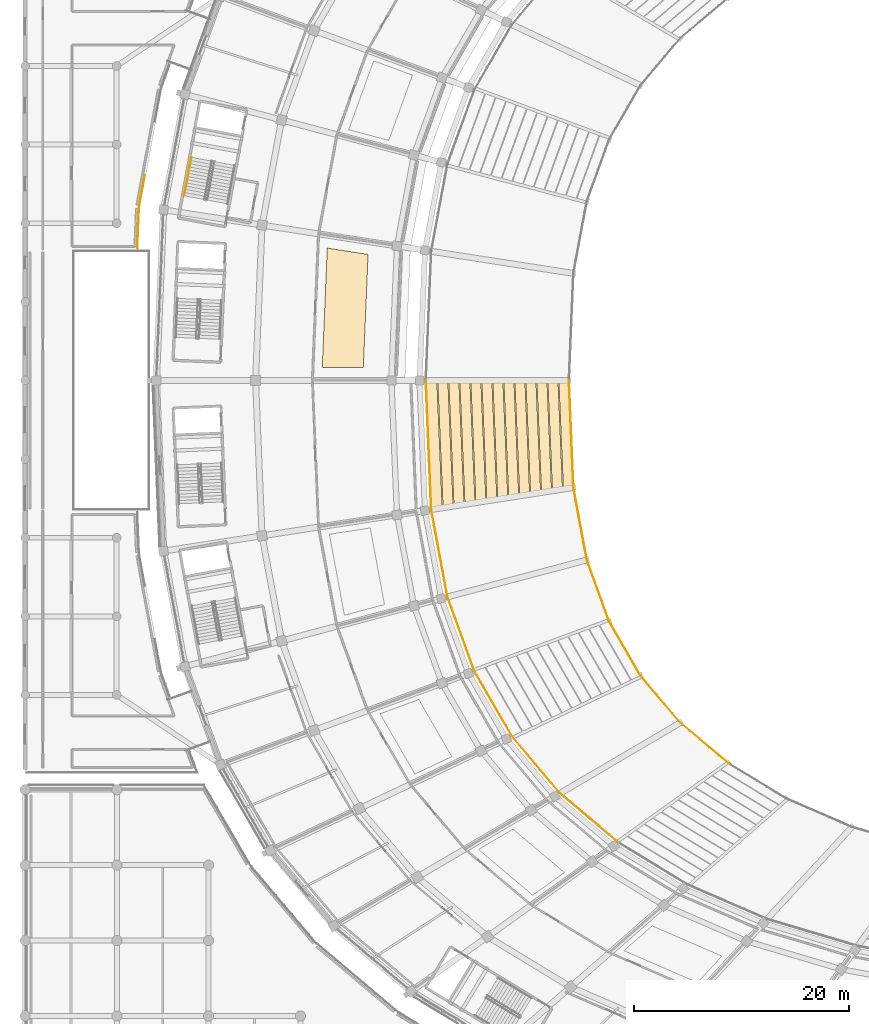
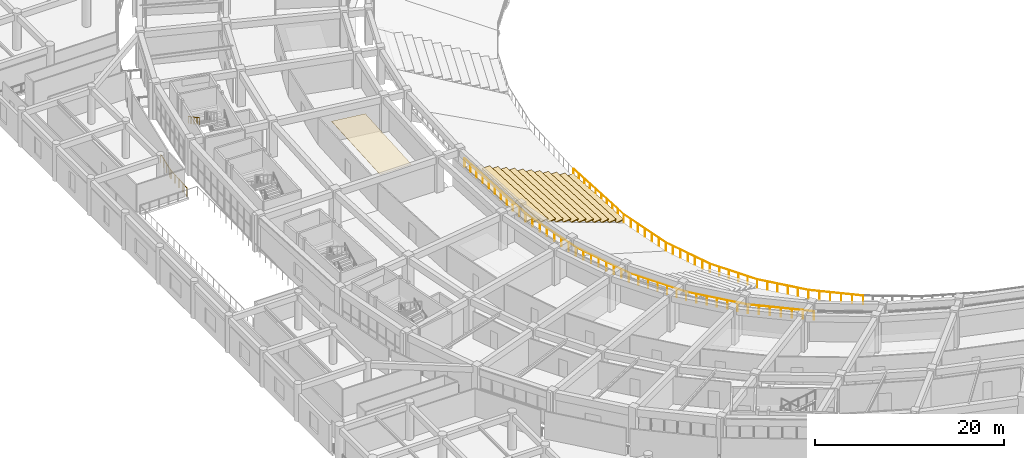
# One storey, part 130 of 152: 14 coverings, 4 railings.
"""IFC4 building model written with IfcOpenShell, lengths in metres."""

from ifc_helpers import new_model, si_unit, direction, frame, origin, origin_2d, place, context, subcontext, project, spatial, polyline, circle, outline, extrude, material, layer, layer_set, type_object, element, save


model = new_model("IFC4")

# Units and contexts
model_context = context("Model", 3, precision=1e-05, world=origin(), true_north=direction((0.0, 1.0)))
body_context = subcontext(model_context, "Body", "Model", "MODEL_VIEW")
ifc_project = project(units=[si_unit("LENGTHUNIT", "METRE"), si_unit("AREAUNIT", "SQUARE_METRE"), si_unit("VOLUMEUNIT", "CUBIC_METRE"), si_unit("PLANEANGLEUNIT", "RADIAN"), si_unit("MASSUNIT", "GRAM", prefix="KILO")], contexts=[model_context])

# Site, building, storey
site_placement = place(None, origin())
site = spatial("IfcSite", under=ifc_project, at=site_placement, CompositionType="ELEMENT")
building_placement = place(site_placement, origin())
building = spatial("IfcBuilding", under=site, at=building_placement, Name="Mphavela Belvedere Stadium", CompositionType="ELEMENT")
storey_placement = place(building_placement, frame((0.0, 0.0, 5.39990234375)))
storey = spatial("IfcBuildingStorey", under=building, at=storey_placement, Name="L01", CompositionType="ELEMENT", Elevation=5.39990234375)

# Coverings
ifc_material_1 = material(Name="Perforated acoustic mineral ceiling tile")
ifc_layer_1 = layer(ifc_material_1, 0.0400390625)
ifc_layer_set_1 = layer_set([ifc_layer_1], Name="Perforated acoustic mineral ceiling tile")
covering_type_1 = type_object("IfcCoveringType", Name="COV-CEILING-ACOUSTIC", PredefinedType="CEILING", material=ifc_layer_set_1)
covering_1_placement = place(storey_placement, frame((0.0, 0.0, 3.5)))
element("IfcCovering", 1, at=covering_1_placement, inside=storey, type_object=covering_type_1, Name="Concourse acoustic ceiling L01-24", PredefinedType="CEILING", context=body_context, shape_type="SweptSolid", body=[
    extrude(outline(polyline([(31.845703125, 98.70361328125), (31.40478515625, 88.1865234375), (27.5869140625, 88.1865234375), (28.052490234375, 99.291748046875), (31.845703125, 98.70361328125)])), origin(), (0.0, 0.0, 1.0), 0.0400390625),
])
ifc_material_2 = material(Name="Precast seating row terrazzo finish", Category="concrete")
ifc_layer_2 = layer(ifc_material_2, 0.1201171875)
ifc_layer_set_2 = layer_set([ifc_layer_2], Name="Precast seating row terrazzo finish")
covering_type_2 = type_object("IfcCoveringType", Name="COV-SEAT-ROW-L", PredefinedType="FLOORING", material=ifc_layer_set_2)
covering_2_placement = place(storey_placement, frame((0.0, 0.0, -3.75830078125)))
element("IfcCovering", 2, at=covering_2_placement, inside=storey, type_object=covering_type_2, Name="Lower stand seating row bench B25-R01", PredefinedType="FLOORING", context=body_context, shape_type="SweptSolid", body=[
    extrude(outline(polyline([(50.4951171875, 87.0), (50.911865234375, 77.0595703125), (49.9775390625, 76.91455078125), (49.554443359375, 87.0), (50.4951171875, 87.0)])), origin(), (0.0, 0.0, 1.0), 0.119873046875),
])
covering_3_placement = place(storey_placement, frame((0.0, 0.0, -3.296875)))
element("IfcCovering", 3, at=covering_3_placement, inside=storey, type_object=covering_type_2, Name="Lower stand seating row bench B25-R02", PredefinedType="FLOORING", context=body_context, shape_type="SweptSolid", body=[
    extrude(outline(polyline([(49.472900390625, 87.0), (49.896240234375, 76.902099609375), (48.9619140625, 76.757080078125), (48.5322265625, 87.0), (49.472900390625, 87.0)])), origin(), (0.0, 0.0, 1.0), 0.1201171875),
])
covering_4_placement = place(storey_placement, frame((0.0, 0.0, -2.835205078125)))
element("IfcCovering", 4, at=covering_4_placement, inside=storey, type_object=covering_type_2, Name="Lower stand seating row bench B25-R03", PredefinedType="FLOORING", context=body_context, shape_type="SweptSolid", body=[
    extrude(outline(polyline([(48.450439453125, 87.0), (48.880615234375, 76.744384765625), (47.9462890625, 76.599609375), (47.510009765625, 87.0), (48.450439453125, 87.0)])), origin(), (0.0, 0.0, 1.0), 0.119873046875),
])
covering_5_placement = place(storey_placement, frame((0.0, 0.0, -2.373779296875)))
element("IfcCovering", 5, at=covering_5_placement, inside=storey, type_object=covering_type_2, Name="Lower stand seating row bench B25-R04", PredefinedType="FLOORING", context=body_context, shape_type="SweptSolid", body=[
    extrude(outline(polyline([(47.42822265625, 87.0), (47.864990234375, 76.5869140625), (46.9306640625, 76.44189453125), (46.48779296875, 87.0), (47.42822265625, 87.0)])), origin(), (0.0, 0.0, 1.0), 0.1201171875),
])
covering_6_placement = place(storey_placement, frame((0.0, 0.0, -1.912109375)))
element("IfcCovering", 6, at=covering_6_placement, inside=storey, type_object=covering_type_2, Name="Lower stand seating row bench B25-R05", PredefinedType="FLOORING", context=body_context, shape_type="SweptSolid", body=[
    extrude(outline(polyline([(46.406005859375, 87.0), (46.849365234375, 76.429443359375), (45.9150390625, 76.284423828125), (45.465576171875, 87.0), (46.406005859375, 87.0)])), origin(), (0.0, 0.0, 1.0), 0.119873046875),
])
covering_7_placement = place(storey_placement, frame((0.0, 0.0, -1.45068359375)))
element("IfcCovering", 7, at=covering_7_placement, inside=storey, type_object=covering_type_2, Name="Lower stand seating row bench B25-R06", PredefinedType="FLOORING", context=body_context, shape_type="SweptSolid", body=[
    extrude(outline(polyline([(45.3837890625, 87.0), (45.833740234375, 76.271728515625), (44.8994140625, 76.126953125), (44.443359375, 87.0), (45.3837890625, 87.0)])), origin(), (0.0, 0.0, 1.0), 0.119873046875),
])
covering_8_placement = place(storey_placement, frame((0.0, 0.0, -0.989013671875)))
element("IfcCovering", 8, at=covering_8_placement, inside=storey, type_object=covering_type_2, Name="Lower stand seating row bench B25-R07", PredefinedType="FLOORING", context=body_context, shape_type="SweptSolid", body=[
    extrude(outline(polyline([(44.361572265625, 87.0), (44.818115234375, 76.1142578125), (43.8837890625, 75.969482421875), (43.421142578125, 87.0), (44.361572265625, 87.0)])), origin(), (0.0, 0.0, 1.0), 0.119873046875),
])
covering_9_placement = place(storey_placement, frame((0.0, 0.0, -0.527587890625)))
element("IfcCovering", 9, at=covering_9_placement, inside=storey, type_object=covering_type_2, Name="Lower stand seating row bench B25-R08", PredefinedType="FLOORING", context=body_context, shape_type="SweptSolid", body=[
    extrude(outline(polyline([(43.33935546875, 87.0), (43.802490234375, 75.956787109375), (42.8681640625, 75.81201171875), (42.39892578125, 87.0), (43.33935546875, 87.0)])), origin(), (0.0, 0.0, 1.0), 0.119873046875),
])
covering_10_placement = place(storey_placement, frame((0.0, 0.0, -0.066162109375)))
element("IfcCovering", 10, at=covering_10_placement, inside=storey, type_object=covering_type_2, Name="Lower stand seating row bench B25-R09", PredefinedType="FLOORING", context=body_context, shape_type="SweptSolid", body=[
    extrude(outline(polyline([(42.317138671875, 87.0), (42.786865234375, 75.79931640625), (41.8525390625, 75.654296875), (41.376708984375, 87.0), (42.317138671875, 87.0)])), origin(), (0.0, 0.0, 1.0), 0.1201171875),
])
covering_11_placement = place(storey_placement, frame((0.0, 0.0, 0.3955078125)))
element("IfcCovering", 11, at=covering_11_placement, inside=storey, type_object=covering_type_2, Name="Lower stand seating row bench B25-R10", PredefinedType="FLOORING", context=body_context, shape_type="SweptSolid", body=[
    extrude(outline(polyline([(41.294921875, 87.0), (41.771240234375, 75.6416015625), (40.8369140625, 75.496826171875), (40.3544921875, 87.0), (41.294921875, 87.0)])), origin(), (0.0, 0.0, 1.0), 0.119873046875),
])
covering_12_placement = place(storey_placement, frame((0.0, 0.0, 0.85693359375)))
element("IfcCovering", 12, at=covering_12_placement, inside=storey, type_object=covering_type_2, Name="Lower stand seating row bench B25-R11", PredefinedType="FLOORING", context=body_context, shape_type="SweptSolid", body=[
    extrude(outline(polyline([(40.272705078125, 87.0), (40.755615234375, 75.484130859375), (39.8212890625, 75.33935546875), (39.332275390625, 87.0), (40.272705078125, 87.0)])), origin(), (0.0, 0.0, 1.0), 0.1201171875),
])
covering_13_placement = place(storey_placement, frame((0.0, 0.0, 1.318603515625)))
element("IfcCovering", 13, at=covering_13_placement, inside=storey, type_object=covering_type_2, Name="Lower stand seating row bench B25-R12", PredefinedType="FLOORING", context=body_context, shape_type="SweptSolid", body=[
    extrude(outline(polyline([(39.25048828125, 87.0), (39.739990234375, 75.32666015625), (38.8056640625, 75.181640625), (38.31005859375, 87.0), (39.25048828125, 87.0)])), origin(), (0.0, 0.0, 1.0), 0.119873046875),
])
covering_14_placement = place(storey_placement, frame((0.0, 0.0, 1.780029296875)))
element("IfcCovering", 14, at=covering_14_placement, inside=storey, type_object=covering_type_2, Name="Lower stand seating row bench B25-R13", PredefinedType="FLOORING", context=body_context, shape_type="SweptSolid", body=[
    extrude(outline(polyline([(38.228271484375, 87.0), (38.724365234375, 75.169189453125), (37.7900390625, 75.024169921875), (37.287841796875, 87.0), (38.228271484375, 87.0)])), origin(), (0.0, 0.0, 1.0), 0.1201171875),
])

# Railings
ifc_material_3 = material(Name="Bronze and laminated glass stadium balustrade", Category="glass")
railing_type_1 = type_object("IfcRailingType", Name="RAL-BALUSTRADE-1120", PredefinedType="BALUSTRADE", material=ifc_material_3)
railing_1_placement = place(storey_placement, frame((50.4951171875, 87.0, -4.099853515625)))
element("IfcRailing", 15, at=railing_1_placement, inside=storey, type_object=railing_type_1, Name="Bowl safety balustrade t1_front S5", PredefinedType="BALUSTRADE", context=body_context, shape_type="SweptSolid", body=[
    extrude(circle(Radius=0.02392578125, at=origin_2d()), frame((0.0, 0.0, 1.09619140625), z_axis=(0.041887754326, -0.99912232286, 0.0), x_axis=(0.99912232286, 0.041887754326, 0.0)), (0.0, 0.0, 1.0), 9.94921875),
    extrude(circle(Radius=0.02392578125, at=origin_2d()), frame((0.416748046875, -9.9404296875, 1.09619140625), z_axis=(0.182635082941, -0.983180769991, 0.0), x_axis=(0.983180769991, 0.182635082941, 0.0)), (0.0, 0.0, 1.0), 6.8388671875),
    extrude(circle(Radius=0.02392578125, at=origin_2d()), frame((1.665771484375, -16.664306640625, 1.09619140625), z_axis=(0.341053704054, -0.940043813315, 0.0), x_axis=(0.940043813315, 0.341053704054, 0.0)), (0.0, 0.0, 1.0), 6.086181640625),
    extrude(circle(Radius=0.02392578125, at=origin_2d()), frame((3.741455078125, -22.385498046875, 1.09619140625), z_axis=(0.500538549493, -0.86571424874, 0.0), x_axis=(0.86571424874, 0.500538549493, 0.0)), (0.0, 0.0, 1.0), 5.7822265625),
    extrude(circle(Radius=0.02392578125, at=origin_2d()), frame((6.6357421875, -27.391357421875, 1.09619140625), z_axis=(0.645177508065, -0.764032710744, 0.0), x_axis=(0.764032710744, 0.645177508065, 0.0)), (0.0, 0.0, 1.0), 5.7412109375),
    extrude(circle(Radius=0.02392578125, at=origin_2d()), frame((10.33984375, -31.77783203125, 1.09619140625), z_axis=(0.764252578724, -0.644917045762, 0.0), x_axis=(0.644917045762, 0.764252578724, 0.0)), (0.0, 0.0, 1.0), 5.89599609375),
    extrude(circle(Radius=0.02099609375, at=origin_2d()), origin(), (0.0, 0.0, 1.0), 1.072021484375),
    extrude(circle(Radius=0.02099609375, at=origin_2d()), frame((0.04638671875, -1.1044921875, 0.0)), (0.0, 0.0, 1.0), 1.072021484375),
    extrude(circle(Radius=0.02099609375, at=origin_2d()), frame((0.092529296875, -2.208984375, 0.0)), (0.0, 0.0, 1.0), 1.072021484375),
    extrude(circle(Radius=0.02099609375, at=origin_2d()), frame((0.138916015625, -3.3134765625, 0.0)), (0.0, 0.0, 1.0), 1.072021484375),
    extrude(circle(Radius=0.02099609375, at=origin_2d()), frame((0.185302734375, -4.41796875, 0.0)), (0.0, 0.0, 1.0), 1.072021484375),
    extrude(circle(Radius=0.02099609375, at=origin_2d()), frame((0.2314453125, -5.5224609375, 0.0)), (0.0, 0.0, 1.0), 1.072021484375),
    extrude(circle(Radius=0.02099609375, at=origin_2d()), frame((0.27783203125, -6.626953125, 0.0)), (0.0, 0.0, 1.0), 1.072021484375),
    extrude(circle(Radius=0.02099609375, at=origin_2d()), frame((0.32421875, -7.7314453125, 0.0)), (0.0, 0.0, 1.0), 1.072021484375),
    extrude(circle(Radius=0.02099609375, at=origin_2d()), frame((0.370361328125, -8.8359375, 0.0)), (0.0, 0.0, 1.0), 1.072021484375),
    extrude(circle(Radius=0.02099609375, at=origin_2d()), frame((0.416748046875, -9.9404296875, 0.0)), (0.0, 0.0, 1.0), 1.072021484375),
    extrude(circle(Radius=0.02099609375, at=origin_2d()), frame((0.625, -11.06103515625, 0.0)), (0.0, 0.0, 1.0), 1.072021484375),
    extrude(circle(Radius=0.02099609375, at=origin_2d()), frame((0.8330078125, -12.181640625, 0.0)), (0.0, 0.0, 1.0), 1.072021484375),
    extrude(circle(Radius=0.02099609375, at=origin_2d()), frame((1.041259765625, -13.30224609375, 0.0)), (0.0, 0.0, 1.0), 1.072021484375),
    extrude(circle(Radius=0.02099609375, at=origin_2d()), frame((1.24951171875, -14.423095703125, 0.0)), (0.0, 0.0, 1.0), 1.072021484375),
    extrude(circle(Radius=0.02099609375, at=origin_2d()), frame((1.45751953125, -15.543701171875, 0.0)), (0.0, 0.0, 1.0), 1.072021484375),
    extrude(circle(Radius=0.02099609375, at=origin_2d()), frame((1.665771484375, -16.664306640625, 0.0)), (0.0, 0.0, 1.0), 1.072021484375),
    extrude(circle(Radius=0.02099609375, at=origin_2d()), frame((2.01171875, -17.617919921875, 0.0)), (0.0, 0.0, 1.0), 1.072021484375),
    extrude(circle(Radius=0.02099609375, at=origin_2d()), frame((2.357666015625, -18.5712890625, 0.0)), (0.0, 0.0, 1.0), 1.072021484375),
    extrude(circle(Radius=0.02099609375, at=origin_2d()), frame((2.70361328125, -19.52490234375, 0.0)), (0.0, 0.0, 1.0), 1.072021484375),
    extrude(circle(Radius=0.02099609375, at=origin_2d()), frame((3.049560546875, -20.478515625, 0.0)), (0.0, 0.0, 1.0), 1.072021484375),
    extrude(circle(Radius=0.02099609375, at=origin_2d()), frame((3.3955078125, -21.431884765625, 0.0)), (0.0, 0.0, 1.0), 1.072021484375),
    extrude(circle(Radius=0.02099609375, at=origin_2d()), frame((3.741455078125, -22.385498046875, 0.0)), (0.0, 0.0, 1.0), 1.072021484375),
    extrude(circle(Radius=0.02099609375, at=origin_2d()), frame((4.3203125, -23.38671875, 0.0)), (0.0, 0.0, 1.0), 1.072021484375),
    extrude(circle(Radius=0.02099609375, at=origin_2d()), frame((4.899169921875, -24.387939453125, 0.0)), (0.0, 0.0, 1.0), 1.072021484375),
    extrude(circle(Radius=0.02099609375, at=origin_2d()), frame((5.47802734375, -25.388916015625, 0.0)), (0.0, 0.0, 1.0), 1.072021484375),
    extrude(circle(Radius=0.02099609375, at=origin_2d()), frame((6.056884765625, -26.39013671875, 0.0)), (0.0, 0.0, 1.0), 1.072021484375),
    extrude(circle(Radius=0.02099609375, at=origin_2d()), frame((6.6357421875, -27.391357421875, 0.0)), (0.0, 0.0, 1.0), 1.072021484375),
    extrude(circle(Radius=0.02099609375, at=origin_2d()), frame((7.37646484375, -28.2685546875, 0.0)), (0.0, 0.0, 1.0), 1.072021484375),
    extrude(circle(Radius=0.02099609375, at=origin_2d()), frame((8.117431640625, -29.14599609375, 0.0)), (0.0, 0.0, 1.0), 1.072021484375),
    extrude(circle(Radius=0.02099609375, at=origin_2d()), frame((8.858154296875, -30.023193359375, 0.0)), (0.0, 0.0, 1.0), 1.072021484375),
    extrude(circle(Radius=0.02099609375, at=origin_2d()), frame((9.59912109375, -30.900634765625, 0.0)), (0.0, 0.0, 1.0), 1.072021484375),
    extrude(circle(Radius=0.02099609375, at=origin_2d()), frame((10.33984375, -31.77783203125, 0.0)), (0.0, 0.0, 1.0), 1.072021484375),
    extrude(circle(Radius=0.02099609375, at=origin_2d()), frame((11.240966796875, -32.538330078125, 0.0)), (0.0, 0.0, 1.0), 1.072021484375),
    extrude(circle(Radius=0.02099609375, at=origin_2d()), frame((12.142333984375, -33.298828125, 0.0)), (0.0, 0.0, 1.0), 1.072021484375),
    extrude(circle(Radius=0.02099609375, at=origin_2d()), frame((13.04345703125, -34.059326171875, 0.0)), (0.0, 0.0, 1.0), 1.072021484375),
    extrude(circle(Radius=0.02099609375, at=origin_2d()), frame((13.94482421875, -34.81982421875, 0.0)), (0.0, 0.0, 1.0), 1.072021484375),
    extrude(circle(Radius=0.02099609375, at=origin_2d()), frame((14.845947265625, -35.580322265625, 0.0)), (0.0, 0.0, 1.0), 1.072021484375),
])
railing_2_placement = place(storey_placement, frame((37.2060546875, 87.0, 1.900146484375)))
element("IfcRailing", 16, at=railing_2_placement, inside=storey, type_object=railing_type_1, Name="Bowl safety balustrade t1_rear S5", PredefinedType="BALUSTRADE", context=body_context, shape_type="SweptSolid", body=[
    extrude(circle(Radius=0.02392578125, at=origin_2d()), frame((0.0, 0.0, 1.09619140625), z_axis=(0.041894596613, -0.999122035977, 0.0), x_axis=(0.999122035977, 0.041894596613, 0.0)), (0.0, 0.0, 1.0), 11.998779296875),
    extrude(circle(Radius=0.02392578125, at=origin_2d()), frame((0.502685546875, -11.98828125, 1.09619140625), z_axis=(0.182635114109, -0.983180764201, 0.0), x_axis=(0.983180764201, 0.182635114109, 0.0)), (0.0, 0.0, 1.0), 8.247802734375),
    extrude(circle(Radius=0.02392578125, at=origin_2d()), frame((2.009033203125, -20.097412109375, 1.09619140625), z_axis=(0.341035238326, -0.940050512589, 0.0), x_axis=(0.940050512589, 0.341035238326, 0.0)), (0.0, 0.0, 1.0), 7.33984375),
    extrude(circle(Radius=0.02392578125, at=origin_2d()), frame((4.51220703125, -26.997314453125, 1.09619140625), z_axis=(0.500558706361, -0.865702594132, 0.0), x_axis=(0.865702594132, 0.500558706361, 0.0)), (0.0, 0.0, 1.0), 6.9736328125),
    extrude(circle(Radius=0.02392578125, at=origin_2d()), frame((8.0029296875, -33.034423828125, 1.09619140625), z_axis=(0.645154745887, -0.764051931389, 0.0), x_axis=(0.764051931389, 0.645154745887, 0.0)), (0.0, 0.0, 1.0), 6.924072265625),
    extrude(circle(Radius=0.02392578125, at=origin_2d()), frame((12.469970703125, -38.32470703125, 1.09619140625), z_axis=(0.764272445786, -0.644893501761, 0.0), x_axis=(0.644893501761, 0.764272445786, 0.0)), (0.0, 0.0, 1.0), 7.11083984375),
    extrude(circle(Radius=0.02099609375, at=origin_2d()), origin(), (0.0, 0.0, 1.0), 1.072021484375),
    extrude(circle(Radius=0.02099609375, at=origin_2d()), frame((0.05029296875, -1.19873046875, 0.0)), (0.0, 0.0, 1.0), 1.072021484375),
    extrude(circle(Radius=0.02099609375, at=origin_2d()), frame((0.1005859375, -2.397705078125, 0.0)), (0.0, 0.0, 1.0), 1.072021484375),
    extrude(circle(Radius=0.02099609375, at=origin_2d()), frame((0.15087890625, -3.596435546875, 0.0)), (0.0, 0.0, 1.0), 1.072021484375),
    extrude(circle(Radius=0.02099609375, at=origin_2d()), frame((0.201171875, -4.79541015625, 0.0)), (0.0, 0.0, 1.0), 1.072021484375),
    extrude(circle(Radius=0.02099609375, at=origin_2d()), frame((0.25146484375, -5.994140625, 0.0)), (0.0, 0.0, 1.0), 1.072021484375),
    extrude(circle(Radius=0.02099609375, at=origin_2d()), frame((0.301513671875, -7.19287109375, 0.0)), (0.0, 0.0, 1.0), 1.072021484375),
    extrude(circle(Radius=0.02099609375, at=origin_2d()), frame((0.351806640625, -8.391845703125, 0.0)), (0.0, 0.0, 1.0), 1.072021484375),
    extrude(circle(Radius=0.02099609375, at=origin_2d()), frame((0.402099609375, -9.590576171875, 0.0)), (0.0, 0.0, 1.0), 1.072021484375),
    extrude(circle(Radius=0.02099609375, at=origin_2d()), frame((0.452392578125, -10.78955078125, 0.0)), (0.0, 0.0, 1.0), 1.072021484375),
    extrude(circle(Radius=0.02099609375, at=origin_2d()), frame((0.502685546875, -11.98828125, 0.0)), (0.0, 0.0, 1.0), 1.072021484375),
    extrude(circle(Radius=0.02099609375, at=origin_2d()), frame((0.7177734375, -13.146728515625, 0.0)), (0.0, 0.0, 1.0), 1.072021484375),
    extrude(circle(Radius=0.02099609375, at=origin_2d()), frame((0.93310546875, -14.30517578125, 0.0)), (0.0, 0.0, 1.0), 1.072021484375),
    extrude(circle(Radius=0.02099609375, at=origin_2d()), frame((1.148193359375, -15.463623046875, 0.0)), (0.0, 0.0, 1.0), 1.072021484375),
    extrude(circle(Radius=0.02099609375, at=origin_2d()), frame((1.363525390625, -16.6220703125, 0.0)), (0.0, 0.0, 1.0), 1.072021484375),
    extrude(circle(Radius=0.02099609375, at=origin_2d()), frame((1.57861328125, -17.780517578125, 0.0)), (0.0, 0.0, 1.0), 1.072021484375),
    extrude(circle(Radius=0.02099609375, at=origin_2d()), frame((1.7939453125, -18.93896484375, 0.0)), (0.0, 0.0, 1.0), 1.072021484375),
    extrude(circle(Radius=0.02099609375, at=origin_2d()), frame((2.009033203125, -20.097412109375, 0.0)), (0.0, 0.0, 1.0), 1.072021484375),
    extrude(circle(Radius=0.02099609375, at=origin_2d()), frame((2.36669921875, -21.0830078125, 0.0)), (0.0, 0.0, 1.0), 1.072021484375),
    extrude(circle(Radius=0.02099609375, at=origin_2d()), frame((2.72412109375, -22.06884765625, 0.0)), (0.0, 0.0, 1.0), 1.072021484375),
    extrude(circle(Radius=0.02099609375, at=origin_2d()), frame((3.081787109375, -23.054443359375, 0.0)), (0.0, 0.0, 1.0), 1.072021484375),
    extrude(circle(Radius=0.02099609375, at=origin_2d()), frame((3.439453125, -24.040283203125, 0.0)), (0.0, 0.0, 1.0), 1.072021484375),
    extrude(circle(Radius=0.02099609375, at=origin_2d()), frame((3.797119140625, -25.02587890625, 0.0)), (0.0, 0.0, 1.0), 1.072021484375),
    extrude(circle(Radius=0.02099609375, at=origin_2d()), frame((4.154541015625, -26.01171875, 0.0)), (0.0, 0.0, 1.0), 1.072021484375),
    extrude(circle(Radius=0.02099609375, at=origin_2d()), frame((4.51220703125, -26.997314453125, 0.0)), (0.0, 0.0, 1.0), 1.072021484375),
    extrude(circle(Radius=0.02099609375, at=origin_2d()), frame((5.093994140625, -28.00341796875, 0.0)), (0.0, 0.0, 1.0), 1.072021484375),
    extrude(circle(Radius=0.02099609375, at=origin_2d()), frame((5.67578125, -29.009765625, 0.0)), (0.0, 0.0, 1.0), 1.072021484375),
    extrude(circle(Radius=0.02099609375, at=origin_2d()), frame((6.257568359375, -30.015869140625, 0.0)), (0.0, 0.0, 1.0), 1.072021484375),
    extrude(circle(Radius=0.02099609375, at=origin_2d()), frame((6.83935546875, -31.02197265625, 0.0)), (0.0, 0.0, 1.0), 1.072021484375),
    extrude(circle(Radius=0.02099609375, at=origin_2d()), frame((7.421142578125, -32.0283203125, 0.0)), (0.0, 0.0, 1.0), 1.072021484375),
    extrude(circle(Radius=0.02099609375, at=origin_2d()), frame((8.0029296875, -33.034423828125, 0.0)), (0.0, 0.0, 1.0), 1.072021484375),
    extrude(circle(Radius=0.02099609375, at=origin_2d()), frame((8.74755859375, -33.916015625, 0.0)), (0.0, 0.0, 1.0), 1.072021484375),
    extrude(circle(Radius=0.02099609375, at=origin_2d()), frame((9.491943359375, -34.7978515625, 0.0)), (0.0, 0.0, 1.0), 1.072021484375),
    extrude(circle(Radius=0.02099609375, at=origin_2d()), frame((10.236328125, -35.6796875, 0.0)), (0.0, 0.0, 1.0), 1.072021484375),
    extrude(circle(Radius=0.02099609375, at=origin_2d()), frame((10.98095703125, -36.561279296875, 0.0)), (0.0, 0.0, 1.0), 1.072021484375),
    extrude(circle(Radius=0.02099609375, at=origin_2d()), frame((11.7255859375, -37.44287109375, 0.0)), (0.0, 0.0, 1.0), 1.072021484375),
    extrude(circle(Radius=0.02099609375, at=origin_2d()), frame((12.469970703125, -38.32470703125, 0.0)), (0.0, 0.0, 1.0), 1.072021484375),
    extrude(circle(Radius=0.02099609375, at=origin_2d()), frame((13.375732421875, -39.0888671875, 0.0)), (0.0, 0.0, 1.0), 1.072021484375),
    extrude(circle(Radius=0.02099609375, at=origin_2d()), frame((14.281494140625, -39.853271484375, 0.0)), (0.0, 0.0, 1.0), 1.072021484375),
    extrude(circle(Radius=0.02099609375, at=origin_2d()), frame((15.187255859375, -40.61767578125, 0.0)), (0.0, 0.0, 1.0), 1.072021484375),
    extrude(circle(Radius=0.02099609375, at=origin_2d()), frame((16.093017578125, -41.3818359375, 0.0)), (0.0, 0.0, 1.0), 1.072021484375),
    extrude(circle(Radius=0.02099609375, at=origin_2d()), frame((16.998779296875, -42.14599609375, 0.0)), (0.0, 0.0, 1.0), 1.072021484375),
    extrude(circle(Radius=0.02099609375, at=origin_2d()), frame((17.904541015625, -42.910400390625, 0.0)), (0.0, 0.0, 1.0), 1.072021484375),
])
railing_3_placement = place(storey_placement, frame((11.12158203125, 106.053466796875, 0.0)))
element("IfcRailing", 17, at=railing_3_placement, inside=storey, type_object=railing_type_1, Name="Peristyle wing gallery edge balustrade L01-55", PredefinedType="BALUSTRADE", context=body_context, shape_type="SweptSolid", body=[
    extrude(circle(Radius=0.02392578125, at=origin_2d()), frame((0.0, 0.0, 1.09619140625), z_axis=(-0.182689544832, -0.983170651621, 0.0), x_axis=(0.983170651621, -0.182689544832, 0.0)), (0.0, 0.0, 1.0), 2.83984375),
    extrude(circle(Radius=0.02392578125, at=origin_2d()), frame((-0.518798828125, -2.7919921875, 1.09619140625), z_axis=(-0.113134174083, -0.993579719325, 0.0), x_axis=(0.993579719325, -0.113134174083, 0.0)), (0.0, 0.0, 1.0), 0.317138671875),
    extrude(circle(Radius=0.02392578125, at=origin_2d()), frame((-0.5546875, -3.107177734375, 1.09619140625), z_axis=(-0.041915584211, -0.999121155716, 0.0), x_axis=(0.999121155716, -0.041915584211, 0.0)), (0.0, 0.0, 1.0), 3.66943359375),
    extrude(circle(Radius=0.02099609375, at=origin_2d()), origin(), (0.0, 0.0, 1.0), 1.072021484375),
    extrude(circle(Radius=0.02099609375, at=origin_2d()), frame((-0.1728515625, -0.9306640625, 0.0)), (0.0, 0.0, 1.0), 1.072021484375),
    extrude(circle(Radius=0.02099609375, at=origin_2d()), frame((-0.345947265625, -1.861328125, 0.0)), (0.0, 0.0, 1.0), 1.072021484375),
    extrude(circle(Radius=0.02099609375, at=origin_2d()), frame((-0.518798828125, -2.7919921875, 0.0)), (0.0, 0.0, 1.0), 1.072021484375),
    extrude(circle(Radius=0.02099609375, at=origin_2d()), frame((-0.5546875, -3.107177734375, 0.0)), (0.0, 0.0, 1.0), 1.072021484375),
    extrude(circle(Radius=0.02099609375, at=origin_2d()), frame((-0.59326171875, -4.023681640625, 0.0)), (0.0, 0.0, 1.0), 1.072021484375),
    extrude(circle(Radius=0.02099609375, at=origin_2d()), frame((-0.631591796875, -4.9404296875, 0.0)), (0.0, 0.0, 1.0), 1.072021484375),
    extrude(circle(Radius=0.02099609375, at=origin_2d()), frame((-0.669921875, -5.85693359375, 0.0)), (0.0, 0.0, 1.0), 1.072021484375),
    extrude(circle(Radius=0.02099609375, at=origin_2d()), frame((-0.70849609375, -6.7734375, 0.0)), (0.0, 0.0, 1.0), 1.072021484375),
])
ifc_material_4 = material(Name="Brushed stainless steel tubular handrail", Category="steel")
railing_type_2 = type_object("IfcRailingType", Name="RAL-HANDRAIL-900", PredefinedType="HANDRAIL", material=ifc_material_4)
railing_4_placement = place(storey_placement, frame((15.43603515625, 107.713134765625, 2.584716796875)))
element("IfcRailing", 18, at=railing_4_placement, inside=storey, type_object=railing_type_2, Name="L01 ST-C06 stair handrail 2", PredefinedType="HANDRAIL", context=body_context, shape_type="SweptSolid", body=[
    extrude(circle(Radius=0.02392578125, at=origin_2d()), frame((0.0, 0.0, 0.8759765625), z_axis=(-0.155763693288, -0.838882326027, 0.521549724315), x_axis=(0.983194782323, -0.182559634128, 0.0)), (0.0, 0.0, 1.0), 4.24755859375),
    extrude(circle(Radius=0.02099609375, at=origin_2d()), origin(), (0.0, 0.0, 1.0), 0.851806640625),
    extrude(circle(Radius=0.02099609375, at=origin_2d()), frame((-0.16552734375, -0.890869140625, 0.5537109375)), (0.0, 0.0, 1.0), 0.851806640625),
    extrude(circle(Radius=0.02099609375, at=origin_2d()), frame((-0.330810546875, -1.78173828125, 1.107666015625)), (0.0, 0.0, 1.0), 0.851806640625),
    extrude(circle(Radius=0.02099609375, at=origin_2d()), frame((-0.49609375, -2.67236328125, 1.66162109375)), (0.0, 0.0, 1.0), 0.851806640625),
    extrude(circle(Radius=0.02099609375, at=origin_2d()), frame((-0.66162109375, -3.563232421875, 2.21533203125)), (0.0, 0.0, 1.0), 0.851806640625),
])

save(model, "model.ifc")
